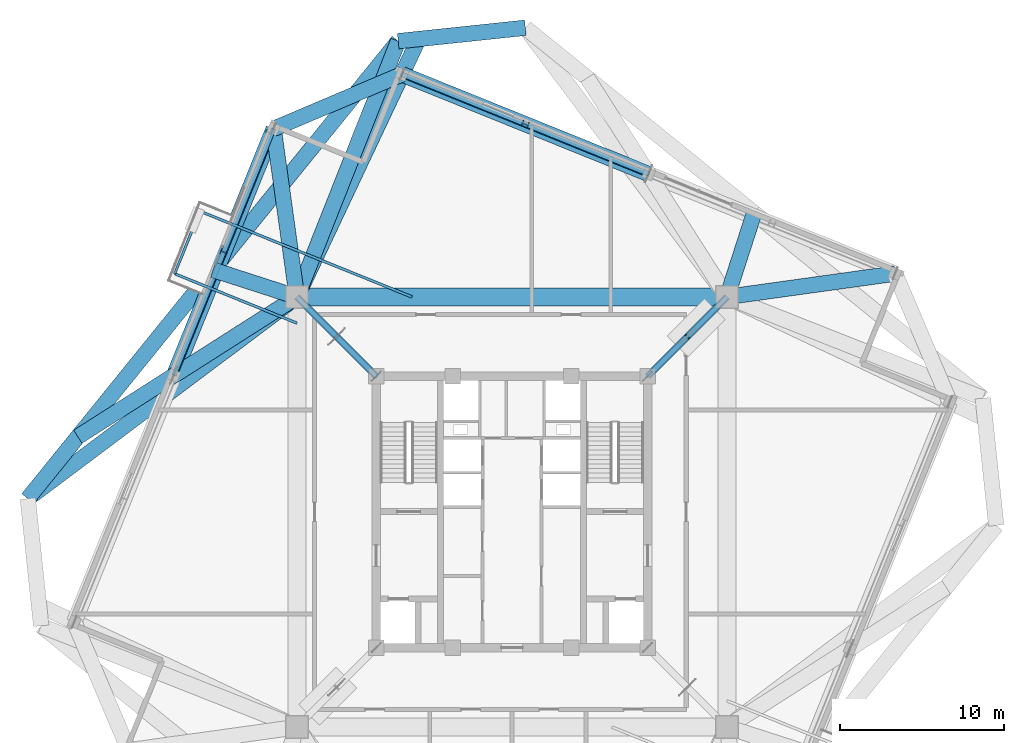
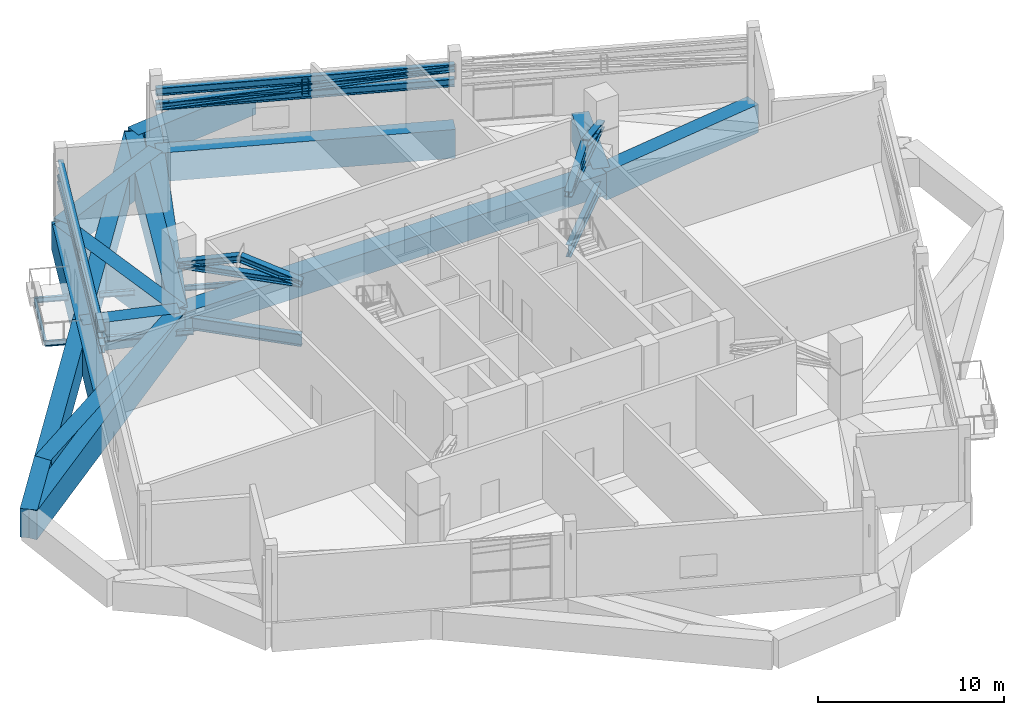
# One storey, part 7 of 20: 20 beams, 14 members.
"""IFC4 building model written with IfcOpenShell, lengths in metres."""

import ifcopenshell
import ifcopenshell.guid

model = None  # the IFC model being written
_history = None  # IfcOwnerHistory: only IFC2X3 demands one
_inside = {}  # id of a spatial element -> (the spatial element, [elements in it])
_under = {}  # id of a project, library or spatial element -> (it, [spatial elements below it])
_declared = {}  # id of a project -> (the project, [libraries it declares])
_typed = {}  # id of a type object -> (the type object, [elements of that type])
_made_of = {}  # id of a material, layer set ... -> (it, [elements and type objects made of it])


def new_model(schema):
    """Start an empty IFC model of exactly this schema.

    Asked for "IFC4X3", IfcOpenShell would pick the latest addendum, in which some entities
    have other attributes; the version numbers below select the first issue.
    IFC2X3 requires an IfcOwnerHistory on every rooted entity: one is made here for all.
    """
    global model, _history
    if schema == "IFC4X3":
        model = ifcopenshell.file(schema_version=(4, 3, 0, 0))
    else:
        model = ifcopenshell.file(schema=schema)
    _inside.clear()
    _under.clear()
    _declared.clear()
    _typed.clear()
    _made_of.clear()
    _history = None
    if model.schema == "IFC2X3":
        org = make("IfcOrganization", Name="unknown")
        user = make(
            "IfcPersonAndOrganization",
            ThePerson=make("IfcPerson", FamilyName="unknown"),
            TheOrganization=org,
        )
        app = make(
            "IfcApplication",
            ApplicationDeveloper=org,
            Version="unknown",
            ApplicationFullName="unknown",
            ApplicationIdentifier="unknown",
        )
        _history = make(
            "IfcOwnerHistory",
            OwningUser=user,
            OwningApplication=app,
            ChangeAction="ADDED",
            CreationDate=0,
        )
    return model


def make(cls, **values):
    """One entity of the class cls with the attributes given. An attribute that is None is left unset."""
    return model.create_entity(
        cls, **{name: value for name, value in values.items() if value is not None}
    )


def rooted(cls, **values):
    """An entity with a GlobalId (a new one), such as an element, a storey or a relation."""
    return make(cls, GlobalId=ifcopenshell.guid.new(), OwnerHistory=_history, **values)


def si_unit(unit_type, name, prefix=None):
    """IfcSIUnit, for example si_unit("LENGTHUNIT", "METRE", prefix="MILLI")."""
    return make("IfcSIUnit", UnitType=unit_type, Prefix=prefix, Name=name)


def assignment(units):
    """IfcUnitAssignment: the units of a project."""
    return None if units is None else make("IfcUnitAssignment", Units=units)


def point(xyz):
    """IfcCartesianPoint."""
    return None if xyz is None else make("IfcCartesianPoint", Coordinates=xyz)


def direction(xyz):
    """IfcDirection."""
    return None if xyz is None else make("IfcDirection", DirectionRatios=xyz)


def frame(location, z_axis=None, x_axis=None):
    """IfcAxis2Placement3D, a coordinate frame: its origin and axes. An axis left out is left unset."""
    return make(
        "IfcAxis2Placement3D",
        Location=point(location),
        Axis=direction(z_axis),
        RefDirection=direction(x_axis),
    )


def frame_2d(location, x_axis=None):
    """IfcAxis2Placement2D, a coordinate frame in the plane: its origin and x axis."""
    return make(
        "IfcAxis2Placement2D", Location=point(location), RefDirection=direction(x_axis)
    )


def origin():
    """The frame at (0, 0, 0) with its axes left unset."""
    return frame((0.0, 0.0, 0.0))


def origin_2d():
    """The frame at (0, 0) in the plane with its x axis left unset."""
    return frame_2d((0.0, 0.0))


def place(relative_to, where):
    """IfcLocalPlacement: puts the frame where relative to a parent placement (None: the world)."""
    return make(
        "IfcLocalPlacement", PlacementRelTo=relative_to, RelativePlacement=where
    )


def context(
    kind, dimensions, precision=None, world=None, true_north=None, identifier=None
):
    """IfcGeometricRepresentationContext, for example the 3D "Model" context."""
    return make(
        "IfcGeometricRepresentationContext",
        ContextIdentifier=identifier,
        ContextType=kind,
        CoordinateSpaceDimension=dimensions,
        Precision=precision,
        WorldCoordinateSystem=world,
        TrueNorth=true_north,
    )


def subcontext(parent, identifier, kind, view, scale=None):
    """IfcGeometricRepresentationSubContext, for example "Body" below "Model"."""
    return make(
        "IfcGeometricRepresentationSubContext",
        ContextIdentifier=identifier,
        ContextType=kind,
        ParentContext=parent,
        TargetScale=scale,
        TargetView=view,
    )


def project(units=None, contexts=None):
    """IfcProject with its units and contexts."""
    return rooted(
        "IfcProject",
        Name="project",
        RepresentationContexts=contexts,
        UnitsInContext=assignment(units),
    )


def spatial(cls, under=None, at=None, **own):
    """A site, building, storey or space (cls), placed at a placement, below another one or the project."""
    s = rooted(cls, ObjectPlacement=at, **own)
    if under is not None:
        _under.setdefault(under.id(), (under, []))[1].append(s)
    return s


def profile(cls, at=None, kind="AREA", **sizes):
    """A parametric profile (cls). Its sizes go by their IFC names, for example OverallWidth=200.0."""
    return make(cls, ProfileType=kind, Position=at, **sizes)


def rectangle(**sizes):
    """IfcRectangleProfileDef."""
    return profile("IfcRectangleProfileDef", **sizes)


def i_section(**sizes):
    """IfcIShapeProfileDef."""
    return profile("IfcIShapeProfileDef", **sizes)


def extrude(swept, where, along, depth):
    """IfcExtrudedAreaSolid: the profile swept, set in the frame where, extruded along a direction by depth."""
    return make(
        "IfcExtrudedAreaSolid",
        SweptArea=swept,
        Position=where,
        ExtrudedDirection=direction(along),
        Depth=depth,
    )


def shape(context_of_items, identifier, shape_type, items):
    """IfcShapeRepresentation: the items that make up one representation, for example the "Body"."""
    return make(
        "IfcShapeRepresentation",
        ContextOfItems=context_of_items,
        RepresentationIdentifier=identifier,
        RepresentationType=shape_type,
        Items=items,
    )


def source(mapping_origin, context_of_items, identifier, shape_type, items):
    """IfcRepresentationMap: a shape defined once, which mapped items show again and again."""
    return make(
        "IfcRepresentationMap",
        MappingOrigin=mapping_origin,
        MappedRepresentation=shape(context_of_items, identifier, shape_type, items),
    )


def transform(
    local_origin,
    x_axis=None,
    y_axis=None,
    z_axis=None,
    scale=None,
    scale2=None,
    scale3=None,
    uniform=True,
):
    """IfcCartesianTransformationOperator3D, or its non-uniform kind. x_axis, y_axis, z_axis: its Axis1, 2, 3."""
    if uniform:
        return make(
            "IfcCartesianTransformationOperator3D",
            Axis1=direction(x_axis),
            Axis2=direction(y_axis),
            LocalOrigin=point(local_origin),
            Scale=scale,
            Axis3=direction(z_axis),
        )
    return make(
        "IfcCartesianTransformationOperator3DnonUniform",
        Axis1=direction(x_axis),
        Axis2=direction(y_axis),
        LocalOrigin=point(local_origin),
        Scale=scale,
        Axis3=direction(z_axis),
        Scale2=scale2,
        Scale3=scale3,
    )


def mapped(mapping_source, mapping_target):
    """IfcMappedItem: shows the shape of a source again, moved by a transform."""
    return make(
        "IfcMappedItem", MappingSource=mapping_source, MappingTarget=mapping_target
    )


def material(Name=None, Category=None):
    """IfcMaterial."""
    return make("IfcMaterial", Name=Name, Category=Category)


def material_profile(
    of_material, cross_section, Name=None, Category=None, Priority=None
):
    """IfcMaterialProfile: a cross section and its material."""
    return make(
        "IfcMaterialProfile",
        Name=Name,
        Material=of_material,
        Profile=cross_section,
        Priority=Priority,
        Category=Category,
    )


def profile_set(profiles, Name=None, composite=None):
    """IfcMaterialProfileSet."""
    return make(
        "IfcMaterialProfileSet",
        Name=Name,
        MaterialProfiles=profiles,
        CompositeProfile=composite,
    )


def made_of(thing, what):
    """Note that an element or type object is made of a material, layer set ...; save() writes the relation."""
    if what is not None:
        _made_of.setdefault(what.id(), (what, []))[1].append(thing)
    return thing


def type_object(cls, material=None, **own):
    """A type object (cls), such as IfcWallType, which elements share."""
    return made_of(rooted(cls, **own), material)


def element(
    cls,
    number,
    at=None,
    inside=None,
    cuts=None,
    type_object=None,
    material=None,
    context=None,
    identifier="Body",
    shape_type=None,
    held_by="IfcProductDefinitionShape",
    body=None,
    shapes=None,
    **own,
):
    """One element of the class cls, such as IfcWall. Its Tag is "e" and its number.

    at: its placement. inside: the storey or other place that contains it. cuts: it is an
    opening in that element (IfcRelVoidsElement). A single representation is given by context,
    identifier, shape_type and body (its items); several are given by shapes. held_by: the class
    of the entity that holds the representations. save() writes the other relations.
    """
    e = rooted(cls, Tag="e%d" % number, ObjectPlacement=at, **own)
    if body is not None:
        shapes = [shape(context, identifier, shape_type, body)]
    if shapes is not None:
        e.Representation = make(held_by, Representations=shapes)
    if inside is not None:
        _inside.setdefault(inside.id(), (inside, []))[1].append(e)
    if cuts is not None:
        rooted(
            "IfcRelVoidsElement", RelatingBuildingElement=cuts, RelatedOpeningElement=e
        )
    if type_object is not None:
        _typed.setdefault(type_object.id(), (type_object, []))[1].append(e)
    return made_of(e, material)


def aggregate(whole, parts):
    """IfcRelAggregates: a whole, such as a stair, and the parts it consists of."""
    return rooted("IfcRelAggregates", RelatingObject=whole, RelatedObjects=parts)


def save(model, path):
    """Write the relations noted so far, then the file.

    IfcRelAggregates (storeys below a building ...), IfcRelContainedInSpatialStructure (elements
    in a storey), IfcRelDefinesByType, IfcRelAssociatesMaterial and IfcRelDeclares: one each for
    every whole, place, type object, material and project.
    """
    for whole, parts in _under.values():
        aggregate(whole, parts)
    for where, things in _inside.values():
        rooted(
            "IfcRelContainedInSpatialStructure",
            RelatedElements=things,
            RelatingStructure=where,
        )
    for kind, things in _typed.values():
        rooted("IfcRelDefinesByType", RelatedObjects=things, RelatingType=kind)
    for what, things in _made_of.values():
        rooted("IfcRelAssociatesMaterial", RelatedObjects=things, RelatingMaterial=what)
    for by, libraries in _declared.values():
        rooted("IfcRelDeclares", RelatingContext=by, RelatedDefinitions=libraries)
    model.write(path)


model = new_model("IFC4")

# Units and contexts
model_context = context("Model", 3, precision=1e-05, world=origin(), true_north=direction((0.0, 1.0)))
body_context = subcontext(model_context, "Body", "Model", "MODEL_VIEW")
ifc_project = project(units=[si_unit("LENGTHUNIT", "METRE"), si_unit("AREAUNIT", "SQUARE_METRE"), si_unit("VOLUMEUNIT", "CUBIC_METRE"), si_unit("PLANEANGLEUNIT", "RADIAN"), si_unit("MASSUNIT", "GRAM", prefix="KILO"), si_unit("THERMODYNAMICTEMPERATUREUNIT", "KELVIN")], contexts=[model_context])

# Site, building, storey
site_placement = place(None, origin())
site = spatial("IfcSite", under=ifc_project, at=site_placement, CompositionType="ELEMENT")
building_placement = place(site_placement, origin())
building = spatial("IfcBuilding", under=site, at=building_placement, Name="Kosmvard Interchange Tower", CompositionType="ELEMENT")
storey_placement = place(building_placement, frame((0.0, 0.0, 260.199951171875)))
storey = spatial("IfcBuildingStorey", under=building, at=storey_placement, Name="L63", CompositionType="ELEMENT", Elevation=260.199951171875)

# Beams
ifc_material_1 = material(Name="Concrete C70/85", Category="concrete")
ifc_material_profile_1 = material_profile(ifc_material_1, rectangle(XDim=1.10009765625, YDim=1.43994140625, at=origin_2d()), Name="TG 1100x1440")
ifc_profile_set_1 = profile_set([ifc_material_profile_1], Name="Concrete C70/85")
beam_type_1 = type_object("IfcBeamType", Name="Mega-Frame Transfer Ring Girder 1100x1440 C70/85", PredefinedType="USERDEFINED", material=ifc_profile_set_1)
shared_shape_1 = source(origin(), body_context, "Body", "SweptSolid", [
    extrude(rectangle(XDim=1.10009765625, YDim=1.43994140625, at=origin_2d()), origin(), (0.0, 0.0, 1.0), 26.162109375),
])
beam_1_placement = place(storey_placement, frame((13.0810546875, 13.0810546875, -0.719970703125), z_axis=(-1.0, 0.0, 0.0), x_axis=(0.0, -1.0, 0.0)))
element("IfcBeam", 1, at=beam_1_placement, inside=storey, type_object=beam_type_1, Name="L63 Mega-Column Ring Girder 3", ObjectType="TRANSFER_GIRDER", PredefinedType="USERDEFINED", context=body_context, shape_type="MappedRepresentation", body=[
    mapped(shared_shape_1, transform((0.0, 0.0, 0.0), scale=1.0)),
])
ifc_material_2 = material(Name="Steel S355", Category="steel")
ifc_material_profile_2 = material_profile(ifc_material_2, i_section(OverallWidth=0.14990234375, OverallDepth=0.300048828125, WebThickness=0.007080078125, FlangeThickness=0.0107421875, FilletRadius=0.014892578125, at=origin_2d()), Name="IPE 300")
ifc_profile_set_2 = profile_set([ifc_material_profile_2], Name="Steel S355")
beam_type_2 = type_object("IfcBeamType", Name="Balcony Edge Header Joist IPE 300 S355", PredefinedType="JOIST", material=ifc_profile_set_2)
shared_shape_2 = source(origin(), body_context, "Body", "SweptSolid", [
    extrude(i_section(OverallWidth=0.14990234375, OverallDepth=0.300048828125, WebThickness=0.007080078125, FlangeThickness=0.0107421875, FilletRadius=0.014892578125, at=origin_2d()), origin(), (0.0, 0.0, 1.0), 4.10009765625),
])
beam_2_placement = place(storey_placement, frame((-18.979736328125, 18.2919921875, -0.550048828125), z_axis=(-0.37460186541, -0.927185764791, 0.0), x_axis=(0.927185764791, -0.37460186541, 0.0)))
element("IfcBeam", 2, at=beam_2_placement, inside=storey, type_object=beam_type_2, Name="BM-L63-BJH1", PredefinedType="JOIST", context=body_context, shape_type="MappedRepresentation", body=[
    mapped(shared_shape_2, transform((0.0, 0.0, 0.0), scale=1.0)),
])

# Members
ifc_material_3 = material(Name="Steel S460", Category="steel")
ifc_material_profile_3 = material_profile(ifc_material_3, i_section(OverallWidth=0.40087890625, OverallDepth=0.39892578125, WebThickness=0.0185546875, FlangeThickness=0.028076171875, FilletRadius=0.014892578125, at=origin_2d()), Name="HD 400x314")
ifc_profile_set_3 = profile_set([ifc_material_profile_3], Name="Steel S460")
member_type_1 = type_object("IfcMemberType", Name="Outrigger Top and Bottom Chord HD 400x314 S460", PredefinedType="CHORD", material=ifc_profile_set_3)
shared_shape_3 = source(origin(), body_context, "Body", "SweptSolid", [
    extrude(i_section(OverallWidth=0.40087890625, OverallDepth=0.39892578125, WebThickness=0.0185546875, FlangeThickness=0.028076171875, FilletRadius=0.014892578125, at=origin_2d()), origin(), (0.0, 0.0, 1.0), 6.83203125),
])
for number, where, z_axis, x_axis, name in (
    (3, (8.25, 8.25, 2.920166015625), (0.707106781187, 0.707106781187, 0.0), (-0.707106781187, 0.707106781187, 0.0), "L63 Outrigger Bottom Chord 3"),
    (4, (-8.25, 8.25, 2.920166015625), (-0.707106781187, 0.707106781187, 0.0), (-0.707106781187, -0.707106781187, 0.0), "L63 Outrigger Bottom Chord 4"),
):
    element("IfcMember", number, at=place(storey_placement, frame(where, z_axis=z_axis, x_axis=x_axis)), inside=storey, type_object=member_type_1, Name=name, PredefinedType="CHORD", context=body_context, shape_type="MappedRepresentation", body=[
        mapped(shared_shape_3, transform((0.0, 0.0, 0.0), scale=1.0)),
    ])

# Beams
ifc_material_profile_4 = material_profile(ifc_material_2, i_section(OverallWidth=0.300048828125, OverallDepth=0.800048828125, WebThickness=0.017578125, FlangeThickness=0.032958984375, FilletRadius=0.027099609375, at=origin_2d()), Name="HEB 800")
ifc_profile_set_4 = profile_set([ifc_material_profile_4], Name="Steel S355")
beam_type_3 = type_object("IfcBeamType", Name="Primary Mega-Frame Girder HEB 800 S355", PredefinedType="BEAM", material=ifc_profile_set_4)
shared_shape_4 = source(origin(), body_context, "Body", "SweptSolid", [
    extrude(i_section(OverallWidth=0.300048828125, OverallDepth=0.800048828125, WebThickness=0.017578125, FlangeThickness=0.032958984375, FilletRadius=0.027099609375, at=origin_2d()), origin(), (0.0, 0.0, 1.0), 6.83203125),
])
for number, where, z_axis, x_axis, name in (
    (5, (8.25, 8.25, -0.800048828125), (0.707106781187, 0.707106781187, 0.0), (-0.707106781187, 0.707106781187, 0.0), "L63 Radial Mega-Frame Girder 3"),
    (6, (-8.25, 8.25, -0.800048828125), (-0.707106781187, 0.707106781187, 0.0), (-0.707106781187, -0.707106781187, 0.0), "L63 Radial Mega-Frame Girder 4"),
):
    element("IfcBeam", number, at=place(storey_placement, frame(where, z_axis=z_axis, x_axis=x_axis)), inside=storey, type_object=beam_type_3, Name=name, PredefinedType="BEAM", context=body_context, shape_type="MappedRepresentation", body=[
        mapped(shared_shape_4, transform((0.0, 0.0, 0.0), scale=1.0)),
    ])
ifc_material_4 = material(Name="Concrete C60/75", Category="concrete")
ifc_material_profile_5 = material_profile(ifc_material_4, rectangle(XDim=0.949951171875, YDim=1.8798828125, at=origin_2d()), Name="TG 950x1880")
ifc_profile_set_5 = profile_set([ifc_material_profile_5], Name="Concrete C60/75")
beam_type_4 = type_object("IfcBeamType", Name="Upper Long-Span Transfer Girder 950x1880 C60/75", PredefinedType="USERDEFINED", material=ifc_profile_set_5)
shared_shape_5 = source(origin(), body_context, "Body", "SweptSolid", [
    extrude(rectangle(XDim=0.949951171875, YDim=1.8798828125, at=origin_2d()), origin(), (0.0, 0.0, 1.0), 17.89990234375),
])
for number, where, z_axis, x_axis, name in (
    (7, (-6.92041015625, 28.636962890625, -0.93994140625), (-0.629322990554, -0.777143856413, 0.0), (0.777143856413, -0.629322990554, 0.0), "BM-L63-LR07"),
    (8, (-18.185302734375, 14.72607421875, -0.93994140625), (-0.629314753061, -0.777150526976, 0.0), (0.777150526976, -0.629314753061, 0.0), "BM-L63-LR08"),
):
    element("IfcBeam", number, at=place(storey_placement, frame(where, z_axis=z_axis, x_axis=x_axis)), inside=storey, type_object=beam_type_4, Name=name, ObjectType="TRANSFER_GIRDER", PredefinedType="USERDEFINED", context=body_context, shape_type="MappedRepresentation", body=[
        mapped(shared_shape_5, transform((0.0, 0.0, 0.0), scale=1.0)),
    ])
shared_shape_6 = source(origin(), body_context, "Body", "SweptSolid", [
    extrude(rectangle(XDim=0.949951171875, YDim=1.8798828125, at=origin_2d()), origin(), (0.0, 0.0, 1.0), 16.7314453125),
])
beam_3_placement = place(storey_placement, frame((-13.0810546875, 13.0810546875, -0.93994140625), z_axis=(0.368208500474, 0.929743244223, 0.0), x_axis=(-0.929743244223, 0.368208500474, 0.0)))
element("IfcBeam", 9, at=beam_3_placement, inside=storey, type_object=beam_type_4, Name="BM-L63-LD07", ObjectType="TRANSFER_GIRDER", PredefinedType="USERDEFINED", context=body_context, shape_type="MappedRepresentation", body=[
    mapped(shared_shape_6, transform((0.0, 0.0, 0.0), scale=1.0)),
])
ifc_material_profile_6 = material_profile(ifc_material_4, rectangle(XDim=0.949951171875, YDim=1.85009765625, at=origin_2d()), Name="TG 950x1850")
ifc_profile_set_6 = profile_set([ifc_material_profile_6], Name="Concrete C60/75")
beam_type_5 = type_object("IfcBeamType", Name="Upper Transfer Ring Girder 950x1850 C60/75", PredefinedType="USERDEFINED", material=ifc_profile_set_6)
shared_shape_7 = source(origin(), body_context, "Body", "SweptSolid", [
    extrude(rectangle(XDim=0.949951171875, YDim=1.85009765625, at=origin_2d()), origin(), (0.0, 0.0, 1.0), 5.36279296875),
])
for number, where, z_axis, x_axis, name in (
    (10, (13.0810546875, 13.0810546875, -0.925048828125), (0.306747382686, 0.951790966135, 0.0), (-0.951790966135, 0.306747382686, 0.0), "BM-L63-LD05"),
    (11, (-13.0810546875, 13.0810546875, -0.925048828125), (-0.951790966135, 0.306747382686, 0.0), (-0.306747382686, -0.951790966135, 0.0), "BM-L63-LD08"),
):
    element("IfcBeam", number, at=place(storey_placement, frame(where, z_axis=z_axis, x_axis=x_axis)), inside=storey, type_object=beam_type_5, Name=name, ObjectType="TRANSFER_GIRDER", PredefinedType="USERDEFINED", context=body_context, shape_type="MappedRepresentation", body=[
        mapped(shared_shape_7, transform((0.0, 0.0, 0.0), scale=1.0)),
    ])
shared_shape_8 = source(origin(), body_context, "Body", "SweptSolid", [
    extrude(rectangle(XDim=0.949951171875, YDim=1.85009765625, at=origin_2d()), origin(), (0.0, 0.0, 1.0), 7.7783203125),
])
beam_4_placement = place(storey_placement, frame((0.815185546875, 29.449951171875, -0.925048828125), z_axis=(-0.994522638298, -0.104521394525, 0.0), x_axis=(0.104521394525, -0.994522638298, 0.0)))
element("IfcBeam", 12, at=beam_4_placement, inside=storey, type_object=beam_type_5, Name="BM-L63-LR06", ObjectType="TRANSFER_GIRDER", PredefinedType="USERDEFINED", context=body_context, shape_type="MappedRepresentation", body=[
    mapped(shared_shape_8, transform((0.0, 0.0, 0.0), scale=1.0)),
])
shared_shape_9 = source(origin(), body_context, "Body", "SweptSolid", [
    extrude(rectangle(XDim=0.949951171875, YDim=1.8798828125, at=origin_2d()), origin(), (0.0, 0.0, 1.0), 20.45458984375),
])
beam_5_placement = place(storey_placement, frame((-13.0810546875, 13.0810546875, -0.93994140625), z_axis=(-0.800253443036, -0.599661927179, 0.0), x_axis=(0.599661927179, -0.800253443036, 0.0)))
element("IfcBeam", 13, at=beam_5_placement, inside=storey, type_object=beam_type_4, Name="BM-L63-LD09", ObjectType="TRANSFER_GIRDER", PredefinedType="USERDEFINED", context=body_context, shape_type="MappedRepresentation", body=[
    mapped(shared_shape_9, transform((0.0, 0.0, 0.0), scale=1.0)),
])
shared_shape_10 = source(origin(), body_context, "Body", "SweptSolid", [
    extrude(rectangle(XDim=0.949951171875, YDim=1.85009765625, at=origin_2d()), origin(), (0.0, 0.0, 1.0), 10.3212890625),
])
for number, where, z_axis, x_axis, name in (
    (14, (13.0810546875, 13.0810546875, -0.925048828125), (0.990491735984, 0.137572239014, 0.0), (-0.137572239014, 0.990491735984, 0.0), "BM-L63-RD04"),
    (15, (-13.0810546875, 13.0810546875, -0.925048828125), (-0.137572239014, 0.990491735984, 0.0), (-0.990491735984, -0.137572239014, 0.0), "BM-L63-RD07"),
):
    element("IfcBeam", number, at=place(storey_placement, frame(where, z_axis=z_axis, x_axis=x_axis)), inside=storey, type_object=beam_type_5, Name=name, ObjectType="TRANSFER_GIRDER", PredefinedType="USERDEFINED", context=body_context, shape_type="MappedRepresentation", body=[
        mapped(shared_shape_10, transform((0.0, 0.0, 0.0), scale=1.0)),
    ])
shared_shape_11 = source(origin(), body_context, "Body", "SweptSolid", [
    extrude(rectangle(XDim=0.949951171875, YDim=1.8798828125, at=origin_2d()), origin(), (0.0, 0.0, 1.0), 16.175048828125),
])
beam_6_placement = place(storey_placement, frame((-14.5009765625, 23.30419921875, -0.93994140625), z_axis=(-0.374607540279, -0.927183472009, 0.0), x_axis=(0.927183472009, -0.374607540279, 0.0)))
element("IfcBeam", 16, at=beam_6_placement, inside=storey, type_object=beam_type_4, Name="BM-L63-PR07", ObjectType="TRANSFER_GIRDER", PredefinedType="USERDEFINED", context=body_context, shape_type="MappedRepresentation", body=[
    mapped(shared_shape_11, transform((0.0, 0.0, 0.0), scale=1.0)),
])
shared_shape_12 = source(origin(), body_context, "Body", "SweptSolid", [
    extrude(rectangle(XDim=0.949951171875, YDim=1.8798828125, at=origin_2d()), origin(), (0.0, 0.0, 1.0), 15.8056640625),
])
beam_7_placement = place(storey_placement, frame((-13.0810546875, 13.0810546875, -0.93994140625), z_axis=(-0.842914607975, -0.538047361913, 0.0), x_axis=(0.538047361913, -0.842914607975, 0.0)))
element("IfcBeam", 17, at=beam_7_placement, inside=storey, type_object=beam_type_4, Name="BM-L63-RD08", ObjectType="TRANSFER_GIRDER", PredefinedType="USERDEFINED", context=body_context, shape_type="MappedRepresentation", body=[
    mapped(shared_shape_12, transform((0.0, 0.0, 0.0), scale=1.0)),
])
shared_shape_13 = source(origin(), body_context, "Body", "SweptSolid", [
    extrude(rectangle(XDim=0.949951171875, YDim=1.8798828125, at=origin_2d()), origin(), (0.0, 0.0, 1.0), 16.1748046875),
])
beam_8_placement = place(storey_placement, frame((8.306884765625, 20.560302734375, -0.93994140625), z_axis=(-0.92718135387, 0.374612782798, 0.0), x_axis=(-0.374612782798, -0.92718135387, 0.0)))
element("IfcBeam", 18, at=beam_8_placement, inside=storey, type_object=beam_type_4, Name="BM-L63-PR05", ObjectType="TRANSFER_GIRDER", PredefinedType="USERDEFINED", context=body_context, shape_type="MappedRepresentation", body=[
    mapped(shared_shape_13, transform((0.0, 0.0, 0.0), scale=1.0)),
])
shared_shape_14 = source(origin(), body_context, "Body", "SweptSolid", [
    extrude(rectangle(XDim=0.949951171875, YDim=1.8798828125, at=origin_2d()), origin(), (0.0, 0.0, 1.0), 17.3466796875),
])
beam_9_placement = place(storey_placement, frame((-13.0810546875, 13.0810546875, -0.93994140625), z_axis=(0.426871720747, 0.904312188366, 0.0), x_axis=(-0.904312188366, 0.426871720747, 0.0)))
element("IfcBeam", 19, at=beam_9_placement, inside=storey, type_object=beam_type_4, Name="BM-L63-RD06", ObjectType="TRANSFER_GIRDER", PredefinedType="USERDEFINED", context=body_context, shape_type="MappedRepresentation", body=[
    mapped(shared_shape_14, transform((0.0, 0.0, 0.0), scale=1.0)),
])
shared_shape_15 = source(origin(), body_context, "Body", "SweptSolid", [
    extrude(rectangle(XDim=0.949951171875, YDim=1.85009765625, at=origin_2d()), origin(), (0.0, 0.0, 1.0), 8.4853515625),
])
beam_10_placement = place(storey_placement, frame((-6.690185546875, 26.61962890625, -0.925048828125), z_axis=(-0.920507159025, -0.390725696857, 0.0), x_axis=(0.390725696857, -0.920507159025, 0.0)))
element("IfcBeam", 20, at=beam_10_placement, inside=storey, type_object=beam_type_5, Name="BM-L63-PR06", ObjectType="TRANSFER_GIRDER", PredefinedType="USERDEFINED", context=body_context, shape_type="MappedRepresentation", body=[
    mapped(shared_shape_15, transform((0.0, 0.0, 0.0), scale=1.0)),
])
ifc_material_profile_7 = material_profile(ifc_material_2, i_section(OverallWidth=0.159912109375, OverallDepth=0.330078125, WebThickness=0.007568359375, FlangeThickness=0.011474609375, FilletRadius=0.01806640625, at=origin_2d()), Name="IPE 330")
ifc_profile_set_7 = profile_set([ifc_material_profile_7], Name="Steel S355")
beam_type_6 = type_object("IfcBeamType", Name="Balcony Cantilever Joist IPE 330 S355", PredefinedType="JOIST", material=ifc_profile_set_7)
shared_shape_16 = source(origin(), body_context, "Body", "SweptSolid", [
    extrude(i_section(OverallWidth=0.159912109375, OverallDepth=0.330078125, WebThickness=0.007568359375, FlangeThickness=0.011474609375, FilletRadius=0.01806640625, at=origin_2d()), origin(), (0.0, 0.0, 1.0), 13.910400390625),
])
beam_11_placement = place(storey_placement, frame((-6.082275390625, 13.0810546875, -0.56494140625), z_axis=(-0.927183229475, 0.374608140568, 0.0), x_axis=(-0.374608140568, -0.927183229475, 0.0)))
element("IfcBeam", 21, at=beam_11_placement, inside=storey, type_object=beam_type_6, Name="BM-L63-BJ1", PredefinedType="JOIST", context=body_context, shape_type="MappedRepresentation", body=[
    mapped(shared_shape_16, transform((0.0, 0.0, 0.0), scale=1.0)),
])
shared_shape_17 = source(origin(), body_context, "Body", "SweptSolid", [
    extrude(i_section(OverallWidth=0.159912109375, OverallDepth=0.330078125, WebThickness=0.007568359375, FlangeThickness=0.011474609375, FilletRadius=0.01806640625, at=origin_2d()), origin(), (0.0, 0.0, 1.0), 8.0185546875),
])
beam_12_placement = place(storey_placement, frame((-13.0810546875, 11.486572265625, -0.56494140625), z_axis=(-0.927177579424, 0.374622124564, 0.0), x_axis=(-0.374622124564, -0.927177579424, 0.0)))
element("IfcBeam", 22, at=beam_12_placement, inside=storey, type_object=beam_type_6, Name="BM-L63-BJB1", PredefinedType="JOIST", context=body_context, shape_type="MappedRepresentation", body=[
    mapped(shared_shape_17, transform((0.0, 0.0, 0.0), scale=1.0)),
])

# Members
ifc_material_profile_8 = material_profile(ifc_material_3, i_section(OverallWidth=0.408935546875, OverallDepth=0.425048828125, WebThickness=0.02392578125, FlangeThickness=0.0390625, FilletRadius=0.014892578125, at=origin_2d()), Name="HD 400x421")
ifc_profile_set_8 = profile_set([ifc_material_profile_8], Name="Steel S460")
member_type_2 = type_object("IfcMemberType", Name="Radial Outrigger Diagonal HD 400x421 S460", PredefinedType="BRACE", material=ifc_profile_set_8)
shared_shape_18 = source(origin(), body_context, "Body", "SweptSolid", [
    extrude(i_section(OverallWidth=0.408935546875, OverallDepth=0.425048828125, WebThickness=0.02392578125, FlangeThickness=0.0390625, FilletRadius=0.014892578125, at=origin_2d()), origin(), (0.0, 0.0, 1.0), 3.56787109375),
])
for number, where, z_axis, x_axis, name in (
    (23, (8.25, 8.25, 2.920166015625), (0.677014108708, 0.677014108708, 0.288623965083), (-0.707106781187, 0.707106781187, 0.0), "L63 Outrigger Diagonal 3A"),
    (24, (10.66552734375, 10.66552734375, 3.949951171875), (0.677014108708, 0.677014108708, -0.288623965083), (-0.707106781187, 0.707106781187, 0.0), "L63 Outrigger Diagonal 3B"),
    (25, (-8.25, 8.25, 2.920166015625), (-0.677014108708, 0.677014108708, 0.288623965083), (-0.707106781187, -0.707106781187, 0.0), "L63 Outrigger Diagonal 4A"),
    (26, (-10.66552734375, 10.66552734375, 3.949951171875), (-0.677014108708, 0.677014108708, -0.288623965083), (-0.707106781187, -0.707106781187, 0.0), "L63 Outrigger Diagonal 4B"),
):
    element("IfcMember", number, at=place(storey_placement, frame(where, z_axis=z_axis, x_axis=x_axis)), inside=storey, type_object=member_type_2, Name=name, PredefinedType="BRACE", context=body_context, shape_type="MappedRepresentation", body=[
        mapped(shared_shape_18, transform((0.0, 0.0, 0.0), scale=1.0)),
    ])
ifc_material_profile_9 = material_profile(ifc_material_3, i_section(OverallWidth=0.300048828125, OverallDepth=0.5, WebThickness=0.014404296875, FlangeThickness=0.028076171875, FilletRadius=0.027099609375, at=origin_2d()), Name="HEB 500")
ifc_profile_set_9 = profile_set([ifc_material_profile_9], Name="Steel S460")
member_type_3 = type_object("IfcMemberType", Name="Belt Truss Chord HEB 500 S460", PredefinedType="CHORD", material=ifc_profile_set_9)
shared_shape_19 = source(origin(), body_context, "Body", "SweptSolid", [
    extrude(i_section(OverallWidth=0.300048828125, OverallDepth=0.5, WebThickness=0.014404296875, FlangeThickness=0.028076171875, FilletRadius=0.027099609375, at=origin_2d()), origin(), (0.0, 0.0, 1.0), 16.175048828125),
])
for number, where, z_axis, x_axis, name in (
    (27, (-14.5009765625, 23.30419921875, 2.820068359375), (-0.374607540279, -0.927183472009, 0.0), (0.927183472009, -0.374607540279, 0.0), "L63 Belt Truss Bottom Chord N1"),
    (28, (-14.5009765625, 23.30419921875, 3.77001953125), (-0.374607540279, -0.927183472009, 0.0), (0.927183472009, -0.374607540279, 0.0), "L63 Belt Truss Top Chord N1"),
):
    element("IfcMember", number, at=place(storey_placement, frame(where, z_axis=z_axis, x_axis=x_axis)), inside=storey, type_object=member_type_3, Name=name, PredefinedType="CHORD", context=body_context, shape_type="MappedRepresentation", body=[
        mapped(shared_shape_19, transform((0.0, 0.0, 0.0), scale=1.0)),
    ])
shared_shape_20 = source(origin(), body_context, "Body", "SweptSolid", [
    extrude(i_section(OverallWidth=0.300048828125, OverallDepth=0.5, WebThickness=0.014404296875, FlangeThickness=0.028076171875, FilletRadius=0.027099609375, at=origin_2d()), origin(), (0.0, 0.0, 1.0), 16.1748046875),
])
for number, where, z_axis, x_axis, name in (
    (29, (8.306884765625, 20.560302734375, 2.820068359375), (-0.92718135387, 0.374612782798, 0.0), (-0.374612782798, -0.92718135387, 0.0), "L63 Belt Truss Bottom Chord E2"),
    (30, (8.306884765625, 20.560302734375, 3.77001953125), (-0.92718135387, 0.374612782798, 0.0), (-0.374612782798, -0.92718135387, 0.0), "L63 Belt Truss Top Chord E2"),
):
    element("IfcMember", number, at=place(storey_placement, frame(where, z_axis=z_axis, x_axis=x_axis)), inside=storey, type_object=member_type_3, Name=name, PredefinedType="CHORD", context=body_context, shape_type="MappedRepresentation", body=[
        mapped(shared_shape_20, transform((0.0, 0.0, 0.0), scale=1.0)),
    ])
ifc_material_profile_10 = material_profile(ifc_material_3, i_section(OverallWidth=0.3759765625, OverallDepth=0.386962890625, WebThickness=0.01953125, FlangeThickness=0.031982421875, FilletRadius=0.014892578125, at=origin_2d()), Name="HD 360x329")
ifc_profile_set_10 = profile_set([ifc_material_profile_10], Name="Steel S460")
member_type_4 = type_object("IfcMemberType", Name="Belt Truss Vertical Post HD 360x329 S460", PredefinedType="STUD", material=ifc_profile_set_10)
shared_shape_21 = source(origin(), body_context, "Body", "SweptSolid", [
    extrude(i_section(OverallWidth=0.3759765625, OverallDepth=0.386962890625, WebThickness=0.01953125, FlangeThickness=0.031982421875, FilletRadius=0.014892578125, at=origin_2d()), origin(), (0.0, 0.0, 1.0), 0.949951171875),
])
for number, where, z_axis, x_axis, name in (
    (31, (0.808349609375, 23.58984375, 2.820068359375), (0.0, 0.0, 1.0), (0.374606593416, 0.927183854567, 0.0), "L63 Belt Truss Post E2"),
    (32, (-17.53076171875, 15.805419921875, 2.820068359375), (0.0, 0.0, 1.0), (0.374606593416, 0.927183854567, 0.0), "L63 Belt Truss Post N1"),
):
    element("IfcMember", number, at=place(storey_placement, frame(where, z_axis=z_axis, x_axis=x_axis)), inside=storey, type_object=member_type_4, Name=name, PredefinedType="STUD", context=body_context, shape_type="MappedRepresentation", body=[
        mapped(shared_shape_21, transform((0.0, 0.0, 0.0), scale=1.0)),
    ])
ifc_material_profile_11 = material_profile(ifc_material_3, i_section(OverallWidth=0.406005859375, OverallDepth=0.416015625, WebThickness=0.021484375, FlangeThickness=0.034912109375, FilletRadius=0.014892578125, at=origin_2d()), Name="HD 400x382")
ifc_profile_set_11 = profile_set([ifc_material_profile_11], Name="Steel S460")
member_type_5 = type_object("IfcMemberType", Name="Perimeter Belt Truss Diagonal HD 400x382 S460", PredefinedType="BRACE", material=ifc_profile_set_11)
shared_shape_22 = source(origin(), body_context, "Body", "SweptSolid", [
    extrude(i_section(OverallWidth=0.406005859375, OverallDepth=0.416015625, WebThickness=0.021484375, FlangeThickness=0.034912109375, FilletRadius=0.014892578125, at=origin_2d()), origin(), (0.0, 0.0, 1.0), 16.202880859375),
])
for number, where, z_axis, x_axis, name in (
    (33, (-6.690185546875, 26.61962890625, 2.820068359375), (0.925586458945, -0.373968391036, 0.058628913716), (0.374612782798, 0.92718135387, 0.0), "L63 Belt Truss Diagonal E2"),
    (34, (-14.5009765625, 23.30419921875, 2.820068359375), (-0.373963175524, -0.925588617964, 0.058628096054), (0.927183472009, -0.374607540279, 0.0), "L63 Belt Truss Diagonal N1"),
):
    element("IfcMember", number, at=place(storey_placement, frame(where, z_axis=z_axis, x_axis=x_axis)), inside=storey, type_object=member_type_5, Name=name, PredefinedType="BRACE", context=body_context, shape_type="MappedRepresentation", body=[
        mapped(shared_shape_22, transform((0.0, 0.0, 0.0), scale=1.0)),
    ])

save(model, "model.ifc")
